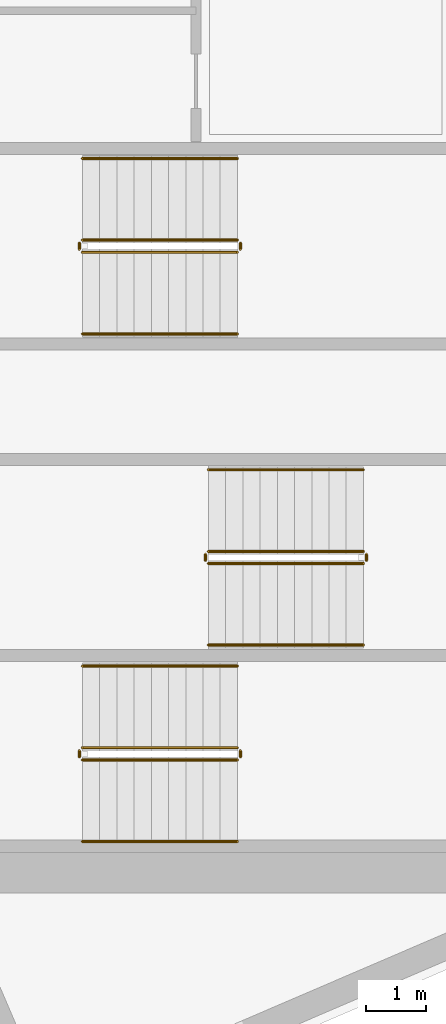
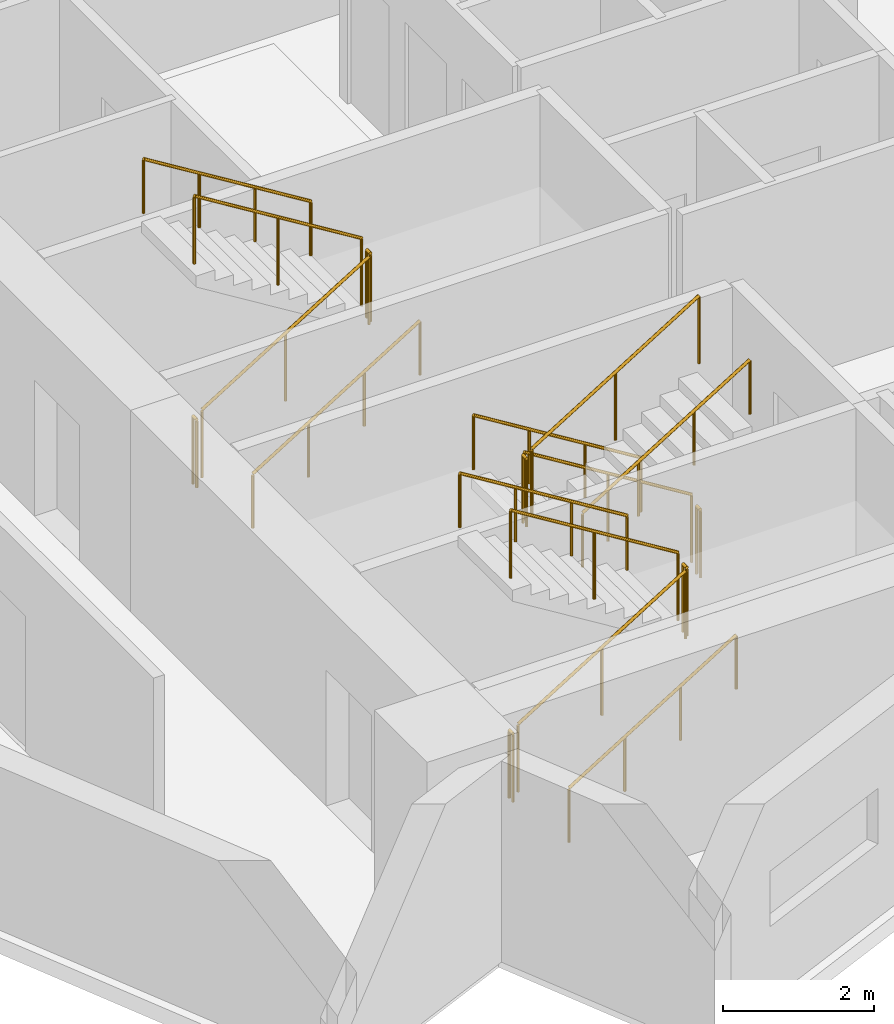
# One storey, part 13 of 14: 18 railings.
"""IFC4 building model written with IfcOpenShell, lengths in metres."""

from ifc_helpers import new_model, si_unit, direction, frame, origin, origin_2d, place, context, subcontext, project, spatial, circle, extrude, material, type_object, element, save


model = new_model("IFC4")

# Units and contexts
model_context = context("Model", 3, precision=1e-05, world=origin(), true_north=direction((0.0, 1.0)))
body_context = subcontext(model_context, "Body", "Model", "MODEL_VIEW")
ifc_project = project(units=[si_unit("LENGTHUNIT", "METRE"), si_unit("AREAUNIT", "SQUARE_METRE"), si_unit("VOLUMEUNIT", "CUBIC_METRE"), si_unit("PLANEANGLEUNIT", "RADIAN"), si_unit("MASSUNIT", "GRAM", prefix="KILO")], contexts=[model_context])

# Site, building, storey
site_placement = place(None, origin())
site = spatial("IfcSite", under=ifc_project, at=site_placement, CompositionType="ELEMENT")
building_placement = place(site_placement, origin())
building = spatial("IfcBuilding", under=site, at=building_placement, Name="Narakoshi Arena Tower", CompositionType="ELEMENT")
storey_placement = place(building_placement, frame((0.0, 0.0, 182.6201171875)))
storey = spatial("IfcBuildingStorey", under=building, at=storey_placement, Name="L49", CompositionType="ELEMENT", Elevation=182.6201171875)

# Railings
ifc_material_1 = material(Name="Clear low-iron laminated structural glass", Category="glass")
railing_type_1 = type_object("IfcRailingType", Name="RL-BAL-1100", PredefinedType="BALUSTRADE", material=ifc_material_1)
railing_1_placement = place(storey_placement, frame((74.39990234375, 36.949951171875, 0.17578125)))
element("IfcRailing", 1, at=railing_1_placement, inside=storey, type_object=railing_type_1, Name="L49 ST1 stair guard 1", PredefinedType="BALUSTRADE", context=body_context, shape_type="SweptSolid", body=[
    extrude(circle(Radius=0.02392578125, at=origin_2d()), frame((0.0, 0.0, 1.09619140625), z_axis=(0.850856559306, 0.0, 0.525398054323), x_axis=(0.0, 1.0, 0.0)), (0.0, 0.0, 1.0), 3.014892578125),
    extrude(circle(Radius=0.02099609375, at=origin_2d()), origin(), (0.0, 0.0, 1.0), 1.072021484375),
    extrude(circle(Radius=0.02099609375, at=origin_2d()), frame((1.28271484375, 0.0, 0.7919921875)), (0.0, 0.0, 1.0), 1.072021484375),
    extrude(circle(Radius=0.02099609375, at=origin_2d()), frame((2.565185546875, 0.0, 1.583984375)), (0.0, 0.0, 1.0), 1.072021484375),
])
railing_2_placement = place(storey_placement, frame((77.014892578125, 37.0, 1.759765625)))
element("IfcRailing", 2, at=railing_2_placement, inside=storey, type_object=railing_type_1, Name="L49 ST1 stair guard 2", PredefinedType="BALUSTRADE", context=body_context, shape_type="SweptSolid", body=[
    extrude(circle(Radius=0.02392578125, at=origin_2d()), frame((0.0, 0.0, 1.09619140625), z_axis=(0.0, 1.0, 0.0), x_axis=(-1.0, 0.0, 0.0)), (0.0, 0.0, 1.0), 0.10009765625),
    extrude(circle(Radius=0.02099609375, at=origin_2d()), origin(), (0.0, 0.0, 1.0), 1.072021484375),
    extrude(circle(Radius=0.02099609375, at=origin_2d()), frame((0.0, 0.10009765625, 0.0)), (0.0, 0.0, 1.0), 1.072021484375),
])
railing_3_placement = place(storey_placement, frame((76.965087890625, 37.14990234375, 1.935791015625)))
element("IfcRailing", 3, at=railing_3_placement, inside=storey, type_object=railing_type_1, Name="L49 ST1 stair guard 3", PredefinedType="BALUSTRADE", context=body_context, shape_type="SweptSolid", body=[
    extrude(circle(Radius=0.02392578125, at=origin_2d()), frame((0.0, 0.0, 1.09619140625), z_axis=(-0.850856559306, 0.0, 0.525398054323), x_axis=(0.0, -1.0, 0.0)), (0.0, 0.0, 1.0), 3.014892578125),
    extrude(circle(Radius=0.02099609375, at=origin_2d()), origin(), (0.0, 0.0, 1.0), 1.072021484375),
    extrude(circle(Radius=0.02099609375, at=origin_2d()), frame((-1.28271484375, 0.0, 0.7919921875)), (0.0, 0.0, 1.0), 1.072021484375),
    extrude(circle(Radius=0.02099609375, at=origin_2d()), frame((-2.565185546875, 0.0, 1.583984375)), (0.0, 0.0, 1.0), 1.072021484375),
])
railing_4_placement = place(storey_placement, frame((74.35009765625, 37.0, 0.0)))
element("IfcRailing", 4, at=railing_4_placement, inside=storey, type_object=railing_type_1, Name="L49 ST1 stair guard 4", PredefinedType="BALUSTRADE", context=body_context, shape_type="SweptSolid", body=[
    extrude(circle(Radius=0.02392578125, at=origin_2d()), frame((0.0, 0.0, 1.09619140625), z_axis=(0.0, 1.0, 0.0), x_axis=(-1.0, 0.0, 0.0)), (0.0, 0.0, 1.0), 0.10009765625),
    extrude(circle(Radius=0.02099609375, at=origin_2d()), origin(), (0.0, 0.0, 1.0), 1.072021484375),
    extrude(circle(Radius=0.02099609375, at=origin_2d()), frame((0.0, 0.10009765625, 0.0)), (0.0, 0.0, 1.0), 1.072021484375),
])
railing_5_placement = place(storey_placement, frame((79.050048828125, 40.39990234375, 0.17578125)))
element("IfcRailing", 5, at=railing_5_placement, inside=storey, type_object=railing_type_1, Name="L49 ST2 stair guard 1", PredefinedType="BALUSTRADE", context=body_context, shape_type="SweptSolid", body=[
    extrude(circle(Radius=0.02392578125, at=origin_2d()), frame((0.0, 0.0, 1.09619140625), z_axis=(-0.850834203031, 0.0, 0.525434257497), x_axis=(0.0, -1.0, 0.0)), (0.0, 0.0, 1.0), 3.0146484375),
    extrude(circle(Radius=0.02099609375, at=origin_2d()), origin(), (0.0, 0.0, 1.0), 1.072021484375),
    extrude(circle(Radius=0.02099609375, at=origin_2d()), frame((-1.282470703125, 0.0, 0.7919921875)), (0.0, 0.0, 1.0), 1.072021484375),
    extrude(circle(Radius=0.02099609375, at=origin_2d()), frame((-2.56494140625, 0.0, 1.583984375)), (0.0, 0.0, 1.0), 1.072021484375),
])
railing_6_placement = place(storey_placement, frame((76.43505859375, 40.35009765625, 1.759765625)))
element("IfcRailing", 6, at=railing_6_placement, inside=storey, type_object=railing_type_1, Name="L49 ST2 stair guard 2", PredefinedType="BALUSTRADE", context=body_context, shape_type="SweptSolid", body=[
    extrude(circle(Radius=0.02392578125, at=origin_2d()), frame((0.0, 0.0, 1.09619140625), z_axis=(0.0, -1.0, 0.0), x_axis=(1.0, 0.0, 0.0)), (0.0, 0.0, 1.0), 0.10009765625),
    extrude(circle(Radius=0.02099609375, at=origin_2d()), origin(), (0.0, 0.0, 1.0), 1.072021484375),
    extrude(circle(Radius=0.02099609375, at=origin_2d()), frame((0.0, -0.10009765625, 0.0)), (0.0, 0.0, 1.0), 1.072021484375),
])
railing_7_placement = place(storey_placement, frame((76.485107421875, 40.199951171875, 1.935791015625)))
element("IfcRailing", 7, at=railing_7_placement, inside=storey, type_object=railing_type_1, Name="L49 ST2 stair guard 3", PredefinedType="BALUSTRADE", context=body_context, shape_type="SweptSolid", body=[
    extrude(circle(Radius=0.02392578125, at=origin_2d()), frame((0.0, 0.0, 1.09619140625), z_axis=(0.850834203031, 0.0, 0.525434257497), x_axis=(0.0, 1.0, 0.0)), (0.0, 0.0, 1.0), 3.0146484375),
    extrude(circle(Radius=0.02099609375, at=origin_2d()), origin(), (0.0, 0.0, 1.0), 1.072021484375),
    extrude(circle(Radius=0.02099609375, at=origin_2d()), frame((1.282470703125, 0.0, 0.7919921875)), (0.0, 0.0, 1.0), 1.072021484375),
    extrude(circle(Radius=0.02099609375, at=origin_2d()), frame((2.56494140625, 0.0, 1.583984375)), (0.0, 0.0, 1.0), 1.072021484375),
])
railing_8_placement = place(storey_placement, frame((79.10009765625, 40.35009765625, 0.0)))
element("IfcRailing", 8, at=railing_8_placement, inside=storey, type_object=railing_type_1, Name="L49 ST2 stair guard 4", PredefinedType="BALUSTRADE", context=body_context, shape_type="SweptSolid", body=[
    extrude(circle(Radius=0.02392578125, at=origin_2d()), frame((0.0, 0.0, 1.09619140625), z_axis=(0.0, -1.0, 0.0), x_axis=(1.0, 0.0, 0.0)), (0.0, 0.0, 1.0), 0.10009765625),
    extrude(circle(Radius=0.02099609375, at=origin_2d()), origin(), (0.0, 0.0, 1.0), 1.072021484375),
    extrude(circle(Radius=0.02099609375, at=origin_2d()), frame((0.0, -0.10009765625, 0.0)), (0.0, 0.0, 1.0), 1.072021484375),
])
railing_9_placement = place(storey_placement, frame((74.39990234375, 45.35009765625, 0.17578125)))
element("IfcRailing", 9, at=railing_9_placement, inside=storey, type_object=railing_type_1, Name="L49 ST3 stair guard 1", PredefinedType="BALUSTRADE", context=body_context, shape_type="SweptSolid", body=[
    extrude(circle(Radius=0.02392578125, at=origin_2d()), frame((0.0, 0.0, 1.09619140625), z_axis=(0.850856559306, 0.0, 0.525398054323), x_axis=(0.0, 1.0, 0.0)), (0.0, 0.0, 1.0), 3.014892578125),
    extrude(circle(Radius=0.02099609375, at=origin_2d()), origin(), (0.0, 0.0, 1.0), 1.072021484375),
    extrude(circle(Radius=0.02099609375, at=origin_2d()), frame((1.28271484375, 0.0, 0.7919921875)), (0.0, 0.0, 1.0), 1.072021484375),
    extrude(circle(Radius=0.02099609375, at=origin_2d()), frame((2.565185546875, 0.0, 1.583984375)), (0.0, 0.0, 1.0), 1.072021484375),
])
railing_10_placement = place(storey_placement, frame((77.014892578125, 45.39990234375, 1.759765625)))
element("IfcRailing", 10, at=railing_10_placement, inside=storey, type_object=railing_type_1, Name="L49 ST3 stair guard 2", PredefinedType="BALUSTRADE", context=body_context, shape_type="SweptSolid", body=[
    extrude(circle(Radius=0.02392578125, at=origin_2d()), frame((0.0, 0.0, 1.09619140625), z_axis=(0.0, 1.0, 0.0), x_axis=(-1.0, 0.0, 0.0)), (0.0, 0.0, 1.0), 0.10009765625),
    extrude(circle(Radius=0.02099609375, at=origin_2d()), origin(), (0.0, 0.0, 1.0), 1.072021484375),
    extrude(circle(Radius=0.02099609375, at=origin_2d()), frame((0.0, 0.10009765625, 0.0)), (0.0, 0.0, 1.0), 1.072021484375),
])
railing_11_placement = place(storey_placement, frame((76.965087890625, 45.550048828125, 1.935791015625)))
element("IfcRailing", 11, at=railing_11_placement, inside=storey, type_object=railing_type_1, Name="L49 ST3 stair guard 3", PredefinedType="BALUSTRADE", context=body_context, shape_type="SweptSolid", body=[
    extrude(circle(Radius=0.02392578125, at=origin_2d()), frame((0.0, 0.0, 1.09619140625), z_axis=(-0.850856559306, 0.0, 0.525398054323), x_axis=(0.0, -1.0, 0.0)), (0.0, 0.0, 1.0), 3.014892578125),
    extrude(circle(Radius=0.02099609375, at=origin_2d()), origin(), (0.0, 0.0, 1.0), 1.072021484375),
    extrude(circle(Radius=0.02099609375, at=origin_2d()), frame((-1.28271484375, 0.0, 0.7919921875)), (0.0, 0.0, 1.0), 1.072021484375),
    extrude(circle(Radius=0.02099609375, at=origin_2d()), frame((-2.565185546875, 0.0, 1.583984375)), (0.0, 0.0, 1.0), 1.072021484375),
])
railing_12_placement = place(storey_placement, frame((74.35009765625, 45.39990234375, 0.0)))
element("IfcRailing", 12, at=railing_12_placement, inside=storey, type_object=railing_type_1, Name="L49 ST3 stair guard 4", PredefinedType="BALUSTRADE", context=body_context, shape_type="SweptSolid", body=[
    extrude(circle(Radius=0.02392578125, at=origin_2d()), frame((0.0, 0.0, 1.09619140625), z_axis=(0.0, 1.0, 0.0), x_axis=(-1.0, 0.0, 0.0)), (0.0, 0.0, 1.0), 0.10009765625),
    extrude(circle(Radius=0.02099609375, at=origin_2d()), origin(), (0.0, 0.0, 1.0), 1.072021484375),
    extrude(circle(Radius=0.02099609375, at=origin_2d()), frame((0.0, 0.10009765625, 0.0)), (0.0, 0.0, 1.0), 1.072021484375),
])
ifc_material_2 = material(Name="Brushed bronze stainless steel", Category="steel")
railing_type_2 = type_object("IfcRailingType", Name="RL-HND-900", PredefinedType="HANDRAIL", material=ifc_material_2)
railing_13_placement = place(storey_placement, frame((74.39990234375, 35.60009765625, 0.17578125)))
element("IfcRailing", 13, at=railing_13_placement, inside=storey, type_object=railing_type_2, Name="L49 ST1 stair handrail 1", PredefinedType="HANDRAIL", context=body_context, shape_type="SweptSolid", body=[
    extrude(circle(Radius=0.02392578125, at=origin_2d()), frame((0.0, 0.0, 0.8759765625), z_axis=(0.850856559306, 0.0, 0.525398054323), x_axis=(0.0, 1.0, 0.0)), (0.0, 0.0, 1.0), 3.014892578125),
    extrude(circle(Radius=0.02099609375, at=origin_2d()), origin(), (0.0, 0.0, 1.0), 0.851806640625),
    extrude(circle(Radius=0.02099609375, at=origin_2d()), frame((0.85498046875, 0.0, 0.528076171875)), (0.0, 0.0, 1.0), 0.851806640625),
    extrude(circle(Radius=0.02099609375, at=origin_2d()), frame((1.710205078125, 0.0, 1.055908203125)), (0.0, 0.0, 1.0), 0.851806640625),
    extrude(circle(Radius=0.02099609375, at=origin_2d()), frame((2.565185546875, 0.0, 1.583984375)), (0.0, 0.0, 1.0), 0.851806640625),
])
railing_14_placement = place(storey_placement, frame((76.965087890625, 38.5, 1.935791015625)))
element("IfcRailing", 14, at=railing_14_placement, inside=storey, type_object=railing_type_2, Name="L49 ST1 stair handrail 2", PredefinedType="HANDRAIL", context=body_context, shape_type="SweptSolid", body=[
    extrude(circle(Radius=0.02392578125, at=origin_2d()), frame((0.0, 0.0, 0.8759765625), z_axis=(-0.850856559306, 0.0, 0.525398054323), x_axis=(0.0, -1.0, 0.0)), (0.0, 0.0, 1.0), 3.014892578125),
    extrude(circle(Radius=0.02099609375, at=origin_2d()), origin(), (0.0, 0.0, 1.0), 0.851806640625),
    extrude(circle(Radius=0.02099609375, at=origin_2d()), frame((-0.85498046875, 0.0, 0.528076171875)), (0.0, 0.0, 1.0), 0.851806640625),
    extrude(circle(Radius=0.02099609375, at=origin_2d()), frame((-1.710205078125, 0.0, 1.055908203125)), (0.0, 0.0, 1.0), 0.851806640625),
    extrude(circle(Radius=0.02099609375, at=origin_2d()), frame((-2.565185546875, 0.0, 1.583984375)), (0.0, 0.0, 1.0), 0.851806640625),
])
railing_15_placement = place(storey_placement, frame((79.050048828125, 41.75, 0.17578125)))
element("IfcRailing", 15, at=railing_15_placement, inside=storey, type_object=railing_type_2, Name="L49 ST2 stair handrail 1", PredefinedType="HANDRAIL", context=body_context, shape_type="SweptSolid", body=[
    extrude(circle(Radius=0.02392578125, at=origin_2d()), frame((0.0, 0.0, 0.8759765625), z_axis=(-0.850834203031, 0.0, 0.525434257497), x_axis=(0.0, -1.0, 0.0)), (0.0, 0.0, 1.0), 3.0146484375),
    extrude(circle(Radius=0.02099609375, at=origin_2d()), origin(), (0.0, 0.0, 1.0), 0.851806640625),
    extrude(circle(Radius=0.02099609375, at=origin_2d()), frame((-0.85498046875, 0.0, 0.528076171875)), (0.0, 0.0, 1.0), 0.851806640625),
    extrude(circle(Radius=0.02099609375, at=origin_2d()), frame((-1.7099609375, 0.0, 1.055908203125)), (0.0, 0.0, 1.0), 0.851806640625),
    extrude(circle(Radius=0.02099609375, at=origin_2d()), frame((-2.56494140625, 0.0, 1.583984375)), (0.0, 0.0, 1.0), 0.851806640625),
])
railing_16_placement = place(storey_placement, frame((76.485107421875, 38.85009765625, 1.935791015625)))
element("IfcRailing", 16, at=railing_16_placement, inside=storey, type_object=railing_type_2, Name="L49 ST2 stair handrail 2", PredefinedType="HANDRAIL", context=body_context, shape_type="SweptSolid", body=[
    extrude(circle(Radius=0.02392578125, at=origin_2d()), frame((0.0, 0.0, 0.8759765625), z_axis=(0.850834203031, 0.0, 0.525434257497), x_axis=(0.0, 1.0, 0.0)), (0.0, 0.0, 1.0), 3.0146484375),
    extrude(circle(Radius=0.02099609375, at=origin_2d()), origin(), (0.0, 0.0, 1.0), 0.851806640625),
    extrude(circle(Radius=0.02099609375, at=origin_2d()), frame((0.85498046875, 0.0, 0.528076171875)), (0.0, 0.0, 1.0), 0.851806640625),
    extrude(circle(Radius=0.02099609375, at=origin_2d()), frame((1.7099609375, 0.0, 1.055908203125)), (0.0, 0.0, 1.0), 0.851806640625),
    extrude(circle(Radius=0.02099609375, at=origin_2d()), frame((2.56494140625, 0.0, 1.583984375)), (0.0, 0.0, 1.0), 0.851806640625),
])
railing_17_placement = place(storey_placement, frame((74.39990234375, 44.0, 0.17578125)))
element("IfcRailing", 17, at=railing_17_placement, inside=storey, type_object=railing_type_2, Name="L49 ST3 stair handrail 1", PredefinedType="HANDRAIL", context=body_context, shape_type="SweptSolid", body=[
    extrude(circle(Radius=0.02392578125, at=origin_2d()), frame((0.0, 0.0, 0.8759765625), z_axis=(0.850856559306, 0.0, 0.525398054323), x_axis=(0.0, 1.0, 0.0)), (0.0, 0.0, 1.0), 3.014892578125),
    extrude(circle(Radius=0.02099609375, at=origin_2d()), origin(), (0.0, 0.0, 1.0), 0.851806640625),
    extrude(circle(Radius=0.02099609375, at=origin_2d()), frame((0.85498046875, 0.0, 0.528076171875)), (0.0, 0.0, 1.0), 0.851806640625),
    extrude(circle(Radius=0.02099609375, at=origin_2d()), frame((1.710205078125, 0.0, 1.055908203125)), (0.0, 0.0, 1.0), 0.851806640625),
    extrude(circle(Radius=0.02099609375, at=origin_2d()), frame((2.565185546875, 0.0, 1.583984375)), (0.0, 0.0, 1.0), 0.851806640625),
])
railing_18_placement = place(storey_placement, frame((76.965087890625, 46.89990234375, 1.935791015625)))
element("IfcRailing", 18, at=railing_18_placement, inside=storey, type_object=railing_type_2, Name="L49 ST3 stair handrail 2", PredefinedType="HANDRAIL", context=body_context, shape_type="SweptSolid", body=[
    extrude(circle(Radius=0.02392578125, at=origin_2d()), frame((0.0, 0.0, 0.8759765625), z_axis=(-0.850856559306, 0.0, 0.525398054323), x_axis=(0.0, -1.0, 0.0)), (0.0, 0.0, 1.0), 3.014892578125),
    extrude(circle(Radius=0.02099609375, at=origin_2d()), origin(), (0.0, 0.0, 1.0), 0.851806640625),
    extrude(circle(Radius=0.02099609375, at=origin_2d()), frame((-0.85498046875, 0.0, 0.528076171875)), (0.0, 0.0, 1.0), 0.851806640625),
    extrude(circle(Radius=0.02099609375, at=origin_2d()), frame((-1.710205078125, 0.0, 1.055908203125)), (0.0, 0.0, 1.0), 0.851806640625),
    extrude(circle(Radius=0.02099609375, at=origin_2d()), frame((-2.565185546875, 0.0, 1.583984375)), (0.0, 0.0, 1.0), 0.851806640625),
])

save(model, "model.ifc")
